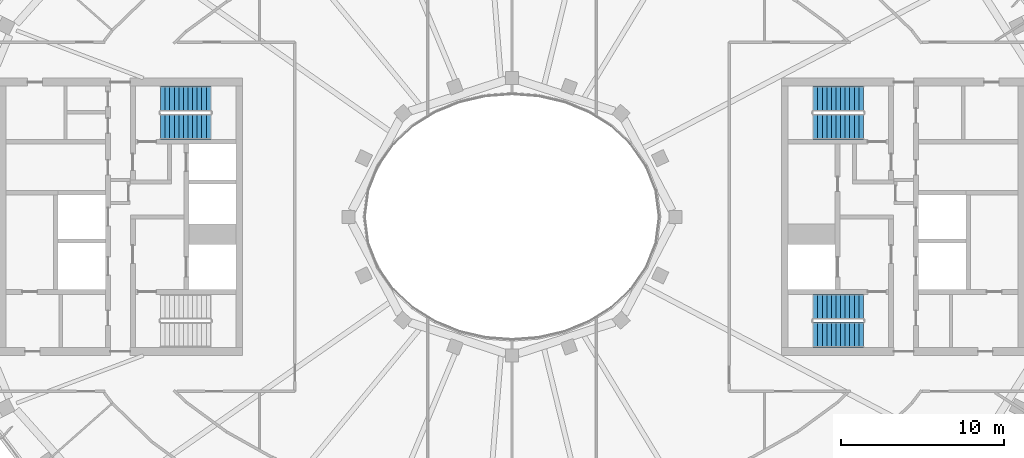
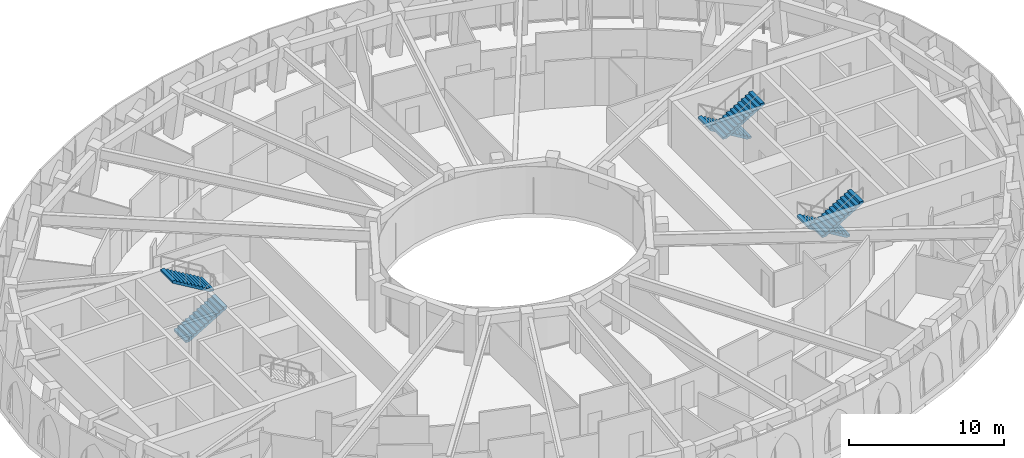
# One storey, part 8 of 15: 6 stair flights, 3 elements without a shape of their own.
"""IFC4 building model written with IfcOpenShell, lengths in metres."""

from ifc_helpers import new_model, si_unit, direction, frame, origin, place, context, subcontext, project, spatial, polyline, outline, extrude, material, type_object, element, aggregate, save


model = new_model("IFC4")

# Units and contexts
model_context = context("Model", 3, precision=1e-05, world=origin(), true_north=direction((0.0, 1.0)))
body_context = subcontext(model_context, "Body", "Model", "MODEL_VIEW")
ifc_project = project(units=[si_unit("LENGTHUNIT", "METRE"), si_unit("AREAUNIT", "SQUARE_METRE"), si_unit("VOLUMEUNIT", "CUBIC_METRE"), si_unit("PLANEANGLEUNIT", "RADIAN"), si_unit("MASSUNIT", "GRAM", prefix="KILO")], contexts=[model_context])

# Site, building, storey
site_placement = place(None, origin())
site = spatial("IfcSite", under=ifc_project, at=site_placement, CompositionType="ELEMENT")
building_placement = place(site_placement, origin())
building = spatial("IfcBuilding", under=site, at=building_placement, Name="Noorbagh Ring Tower", CompositionType="ELEMENT")
storey_placement = place(building_placement, frame((0.0, 0.0, 331.0)))
storey = spatial("IfcBuildingStorey", under=building, at=storey_placement, Name="L72", CompositionType="ELEMENT", Elevation=331.0)

# Stair, stair flights
ifc_material_1 = material(Name="Concrete C40/50", Category="concrete")
stair_type = type_object("IfcStairType", Name="CORE-STAIR", PredefinedType="HALF_TURN_STAIR", material=ifc_material_1)
stair_1_placement = place(storey_placement, origin())
stair_1 = element("IfcStair", 1, at=stair_1_placement, inside=storey, type_object=stair_type, Name="L72 Exit stair ST1", PredefinedType="HALF_TURN_STAIR")
ifc_material_2 = material(Name="Concrete C40/50", Category="concrete")
stair_flight_type = type_object("IfcStairFlightType", Name="CORE-STAIR-FLIGHT", PredefinedType="STRAIGHT", material=ifc_material_2)
stair_flight_1_placement = place(storey_placement, frame((-21.530029296875, 5.52490234375, 0.0), z_axis=(0.0, 0.0, 1.0), x_axis=(1.0, 0.0, 0.0)))
stair_flight_1 = element("IfcStairFlight", 2, at=stair_flight_1_placement, type_object=stair_flight_type, Name="ST1 flight 1", NumberOfRisers=12, NumberOfTreads=11, PredefinedType="STRAIGHT", RiserHeight=0.166666667, TreadLength=0.28, context=body_context, shape_type="SweptSolid", body=[
    extrude(outline(polyline([(0.0, 0.0), (0.0, 0.166748046875), (0.280029296875, 0.166748046875), (0.280029296875, 0.333251953125), (0.56005859375, 0.333251953125), (0.56005859375, 0.5), (0.840087890625, 0.5), (0.840087890625, 0.666748046875), (1.1201171875, 0.666748046875), (1.1201171875, 0.833251953125), (1.39990234375, 0.833251953125), (1.39990234375, 1.0), (1.679931640625, 1.0), (1.679931640625, 1.166748046875), (1.9599609375, 1.166748046875), (1.9599609375, 1.333251953125), (2.239990234375, 1.333251953125), (2.239990234375, 1.5), (2.52001953125, 1.5), (2.52001953125, 1.666748046875), (2.800048828125, 1.666748046875), (2.800048828125, 1.833251953125), (3.080078125, 1.833251953125), (3.080078125, 2.0), (3.080078125, 1.658935546875), (0.29296875, 0.0), (0.0, 0.0)])), frame((0.0, 0.77490234375, 0.0), z_axis=(0.0, -1.0, 0.0), x_axis=(1.0, 0.0, 0.0)), (0.0, 0.0, 1.0), 1.550048828125),
])
stair_flight_2_placement = place(storey_placement, frame((-18.449951171875, 7.22509765625, 2.0), z_axis=(0.0, 0.0, 1.0), x_axis=(-1.0, 0.0, 0.0)))
stair_flight_2 = element("IfcStairFlight", 3, at=stair_flight_2_placement, type_object=stair_flight_type, Name="ST1 flight 2", NumberOfRisers=12, NumberOfTreads=11, PredefinedType="STRAIGHT", RiserHeight=0.166666667, TreadLength=0.28, context=body_context, shape_type="SweptSolid", body=[
    extrude(outline(polyline([(0.0, 0.0), (0.0, 0.166748046875), (0.280029296875, 0.166748046875), (0.280029296875, 0.333251953125), (0.56005859375, 0.333251953125), (0.56005859375, 0.5), (0.840087890625, 0.5), (0.840087890625, 0.666748046875), (1.1201171875, 0.666748046875), (1.1201171875, 0.833251953125), (1.39990234375, 0.833251953125), (1.39990234375, 1.0), (1.679931640625, 1.0), (1.679931640625, 1.166748046875), (1.9599609375, 1.166748046875), (1.9599609375, 1.333251953125), (2.239990234375, 1.333251953125), (2.239990234375, 1.5), (2.52001953125, 1.5), (2.52001953125, 1.666748046875), (2.800048828125, 1.666748046875), (2.800048828125, 1.833251953125), (3.080078125, 1.833251953125), (3.080078125, 2.0), (3.080078125, 1.658935546875), (0.29296875, 0.0), (0.0, 0.0)])), frame((0.0, 0.77490234375, 0.0), z_axis=(0.0, -1.0, 0.0), x_axis=(1.0, 0.0, 0.0)), (0.0, 0.0, 1.0), 1.550048828125),
])
aggregate(stair_1, [stair_flight_1, stair_flight_2])

stair_2_placement = place(storey_placement, origin())
stair_2 = element("IfcStair", 4, at=stair_2_placement, inside=storey, type_object=stair_type, Name="L72 Exit stair ST3", PredefinedType="HALF_TURN_STAIR")
stair_flight_3_placement = place(storey_placement, frame((21.530029296875, 7.22509765625, 0.0), z_axis=(0.0, 0.0, 1.0), x_axis=(-1.0, 0.0, 0.0)))
stair_flight_3 = element("IfcStairFlight", 5, at=stair_flight_3_placement, type_object=stair_flight_type, Name="ST3 flight 1", NumberOfRisers=12, NumberOfTreads=11, PredefinedType="STRAIGHT", RiserHeight=0.166666667, TreadLength=0.28, context=body_context, shape_type="SweptSolid", body=[
    extrude(outline(polyline([(0.0, 0.0), (0.0, 0.166748046875), (0.280029296875, 0.166748046875), (0.280029296875, 0.333251953125), (0.56005859375, 0.333251953125), (0.56005859375, 0.5), (0.840087890625, 0.5), (0.840087890625, 0.666748046875), (1.1201171875, 0.666748046875), (1.1201171875, 0.833251953125), (1.39990234375, 0.833251953125), (1.39990234375, 1.0), (1.679931640625, 1.0), (1.679931640625, 1.166748046875), (1.9599609375, 1.166748046875), (1.9599609375, 1.333251953125), (2.239990234375, 1.333251953125), (2.239990234375, 1.5), (2.52001953125, 1.5), (2.52001953125, 1.666748046875), (2.800048828125, 1.666748046875), (2.800048828125, 1.833251953125), (3.080078125, 1.833251953125), (3.080078125, 2.0), (3.080078125, 1.658935546875), (0.29296875, 0.0), (0.0, 0.0)])), frame((0.0, 0.77490234375, 0.0), z_axis=(0.0, -1.0, 0.0), x_axis=(1.0, 0.0, 0.0)), (0.0, 0.0, 1.0), 1.550048828125),
])
stair_flight_4_placement = place(storey_placement, frame((18.449951171875, 5.52490234375, 2.0), z_axis=(0.0, 0.0, 1.0), x_axis=(1.0, 0.0, 0.0)))
stair_flight_4 = element("IfcStairFlight", 6, at=stair_flight_4_placement, type_object=stair_flight_type, Name="ST3 flight 2", NumberOfRisers=12, NumberOfTreads=11, PredefinedType="STRAIGHT", RiserHeight=0.166666667, TreadLength=0.28, context=body_context, shape_type="SweptSolid", body=[
    extrude(outline(polyline([(0.0, 0.0), (0.0, 0.166748046875), (0.280029296875, 0.166748046875), (0.280029296875, 0.333251953125), (0.56005859375, 0.333251953125), (0.56005859375, 0.5), (0.840087890625, 0.5), (0.840087890625, 0.666748046875), (1.1201171875, 0.666748046875), (1.1201171875, 0.833251953125), (1.39990234375, 0.833251953125), (1.39990234375, 1.0), (1.679931640625, 1.0), (1.679931640625, 1.166748046875), (1.9599609375, 1.166748046875), (1.9599609375, 1.333251953125), (2.239990234375, 1.333251953125), (2.239990234375, 1.5), (2.52001953125, 1.5), (2.52001953125, 1.666748046875), (2.800048828125, 1.666748046875), (2.800048828125, 1.833251953125), (3.080078125, 1.833251953125), (3.080078125, 2.0), (3.080078125, 1.658935546875), (0.29296875, 0.0), (0.0, 0.0)])), frame((0.0, 0.77490234375, 0.0), z_axis=(0.0, -1.0, 0.0), x_axis=(1.0, 0.0, 0.0)), (0.0, 0.0, 1.0), 1.550048828125),
])
aggregate(stair_2, [stair_flight_3, stair_flight_4])

stair_3_placement = place(storey_placement, origin())
stair_3 = element("IfcStair", 7, at=stair_3_placement, inside=storey, type_object=stair_type, Name="L72 Exit stair ST4", PredefinedType="HALF_TURN_STAIR")
stair_flight_5_placement = place(storey_placement, frame((21.530029296875, -5.52490234375, 0.0), z_axis=(0.0, 0.0, 1.0), x_axis=(-1.0, 0.0, 0.0)))
stair_flight_5 = element("IfcStairFlight", 8, at=stair_flight_5_placement, type_object=stair_flight_type, Name="ST4 flight 1", NumberOfRisers=12, NumberOfTreads=11, PredefinedType="STRAIGHT", RiserHeight=0.166666667, TreadLength=0.28, context=body_context, shape_type="SweptSolid", body=[
    extrude(outline(polyline([(0.0, 0.0), (0.0, 0.166748046875), (0.280029296875, 0.166748046875), (0.280029296875, 0.333251953125), (0.56005859375, 0.333251953125), (0.56005859375, 0.5), (0.840087890625, 0.5), (0.840087890625, 0.666748046875), (1.1201171875, 0.666748046875), (1.1201171875, 0.833251953125), (1.39990234375, 0.833251953125), (1.39990234375, 1.0), (1.679931640625, 1.0), (1.679931640625, 1.166748046875), (1.9599609375, 1.166748046875), (1.9599609375, 1.333251953125), (2.239990234375, 1.333251953125), (2.239990234375, 1.5), (2.52001953125, 1.5), (2.52001953125, 1.666748046875), (2.800048828125, 1.666748046875), (2.800048828125, 1.833251953125), (3.080078125, 1.833251953125), (3.080078125, 2.0), (3.080078125, 1.658935546875), (0.29296875, 0.0), (0.0, 0.0)])), frame((0.0, 0.77490234375, 0.0), z_axis=(0.0, -1.0, 0.0), x_axis=(1.0, 0.0, 0.0)), (0.0, 0.0, 1.0), 1.550048828125),
])
stair_flight_6_placement = place(storey_placement, frame((18.449951171875, -7.22509765625, 2.0), z_axis=(0.0, 0.0, 1.0), x_axis=(1.0, 0.0, 0.0)))
stair_flight_6 = element("IfcStairFlight", 9, at=stair_flight_6_placement, type_object=stair_flight_type, Name="ST4 flight 2", NumberOfRisers=12, NumberOfTreads=11, PredefinedType="STRAIGHT", RiserHeight=0.166666667, TreadLength=0.28, context=body_context, shape_type="SweptSolid", body=[
    extrude(outline(polyline([(0.0, 0.0), (0.0, 0.166748046875), (0.280029296875, 0.166748046875), (0.280029296875, 0.333251953125), (0.56005859375, 0.333251953125), (0.56005859375, 0.5), (0.840087890625, 0.5), (0.840087890625, 0.666748046875), (1.1201171875, 0.666748046875), (1.1201171875, 0.833251953125), (1.39990234375, 0.833251953125), (1.39990234375, 1.0), (1.679931640625, 1.0), (1.679931640625, 1.166748046875), (1.9599609375, 1.166748046875), (1.9599609375, 1.333251953125), (2.239990234375, 1.333251953125), (2.239990234375, 1.5), (2.52001953125, 1.5), (2.52001953125, 1.666748046875), (2.800048828125, 1.666748046875), (2.800048828125, 1.833251953125), (3.080078125, 1.833251953125), (3.080078125, 2.0), (3.080078125, 1.658935546875), (0.29296875, 0.0), (0.0, 0.0)])), frame((0.0, 0.77490234375, 0.0), z_axis=(0.0, -1.0, 0.0), x_axis=(1.0, 0.0, 0.0)), (0.0, 0.0, 1.0), 1.550048828125),
])
aggregate(stair_3, [stair_flight_5, stair_flight_6])

save(model, "model.ifc")
